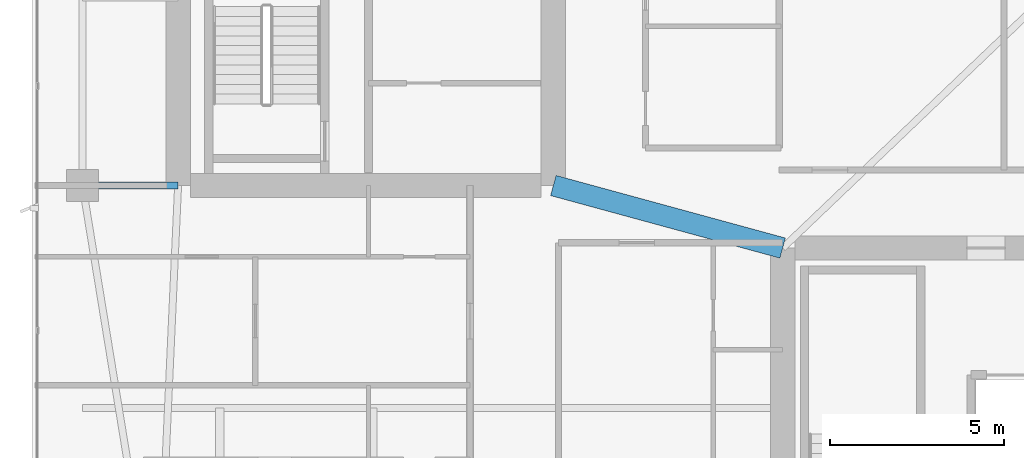
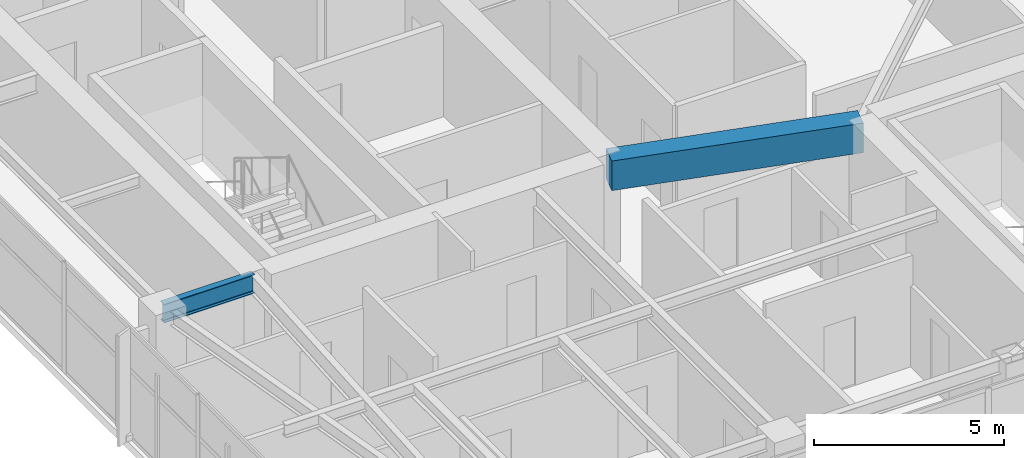
# One storey, part 7 of 29: 2 beams.
"""IFC4 building model written with IfcOpenShell, lengths in metres."""

from ifc_helpers import new_model, si_unit, direction, frame, origin, origin_2d, place, context, subcontext, project, spatial, rectangle, i_section, extrude, material, material_profile, profile_set, type_object, element, save


model = new_model("IFC4")

# Units and contexts
model_context = context("Model", 3, precision=1e-05, world=origin(), true_north=direction((0.0, 1.0)))
body_context = subcontext(model_context, "Body", "Model", "MODEL_VIEW")
ifc_project = project(units=[si_unit("LENGTHUNIT", "METRE"), si_unit("AREAUNIT", "SQUARE_METRE"), si_unit("VOLUMEUNIT", "CUBIC_METRE"), si_unit("PLANEANGLEUNIT", "RADIAN"), si_unit("MASSUNIT", "GRAM", prefix="KILO")], contexts=[model_context])

# Site, building, storey
site_placement = place(None, origin())
site = spatial("IfcSite", under=ifc_project, at=site_placement, CompositionType="ELEMENT")
building_placement = place(site_placement, origin())
building = spatial("IfcBuilding", under=site, at=building_placement, Name="Calvorn Quay Hotel", CompositionType="ELEMENT")
storey_placement = place(building_placement, frame((0.0, 0.0, 211.0)))
storey = spatial("IfcBuildingStorey", under=building, at=storey_placement, Name="L52", CompositionType="ELEMENT", Elevation=211.0)

# Beams
ifc_material_1 = material(Name="Steel Q355B", Category="steel")
ifc_material_profile_1 = material_profile(ifc_material_1, i_section(OverallWidth=0.199951171875, OverallDepth=0.60009765625, WebThickness=0.010986328125, FlangeThickness=0.01708984375, FilletRadius=0.01806640625, at=origin_2d()), Name="HN600x200x11x17")
ifc_profile_set_1 = profile_set([ifc_material_profile_1], Name="Steel Q355B")
beam_type_1 = type_object("IfcBeamType", Name="BM-GIRD-TYP", PredefinedType="BEAM", material=ifc_profile_set_1)
beam_1_placement = place(storey_placement, frame((1.449951171875, 16.800048828125, 3.239990234375), z_axis=(1.0, 0.0, 0.0), x_axis=(0.0, 1.0, 0.0)))
element("IfcBeam", 1, at=beam_1_placement, inside=storey, type_object=beam_type_1, Name="Beam BG-L52-W1", PredefinedType="BEAM", context=body_context, shape_type="SweptSolid", body=[
    extrude(i_section(OverallWidth=0.199951171875, OverallDepth=0.60009765625, WebThickness=0.010986328125, FlangeThickness=0.01708984375, FilletRadius=0.01806640625, at=origin_2d()), origin(), (0.0, 0.0, 1.0), 2.75),
])
ifc_material_2 = material(Name="Concrete C45", Category="concrete")
ifc_material_profile_2 = material_profile(ifc_material_2, rectangle(XDim=0.60009765625, YDim=0.949951171875, at=origin_2d()), Name="RCB600x950")
ifc_profile_set_2 = profile_set([ifc_material_profile_2], Name="Concrete C45")
beam_type_2 = type_object("IfcBeamType", Name="BM-RC-LINK-600x950", PredefinedType="BEAM", material=ifc_profile_set_2)
beam_2_placement = place(storey_placement, frame((15.0, 16.800048828125, 3.06494140625), z_axis=(0.964762997686, -0.263120425462, 0.0), x_axis=(0.263120425462, 0.964762997686, 0.0)))
element("IfcBeam", 2, at=beam_2_placement, inside=storey, type_object=beam_type_2, Name="Beam BCL-L52-01", PredefinedType="BEAM", context=body_context, shape_type="SweptSolid", body=[
    extrude(rectangle(XDim=0.60009765625, YDim=0.949951171875, at=origin_2d()), origin(), (0.0, 0.0, 1.0), 6.841064453125),
])

save(model, "model.ifc")
